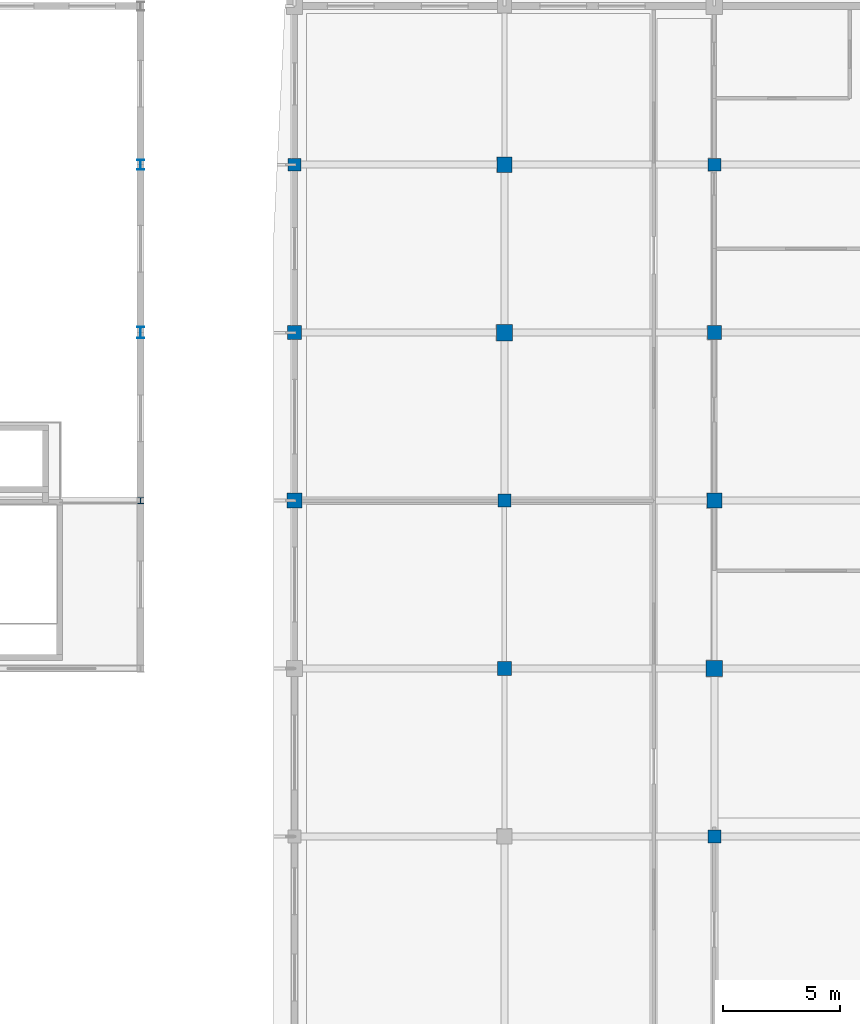
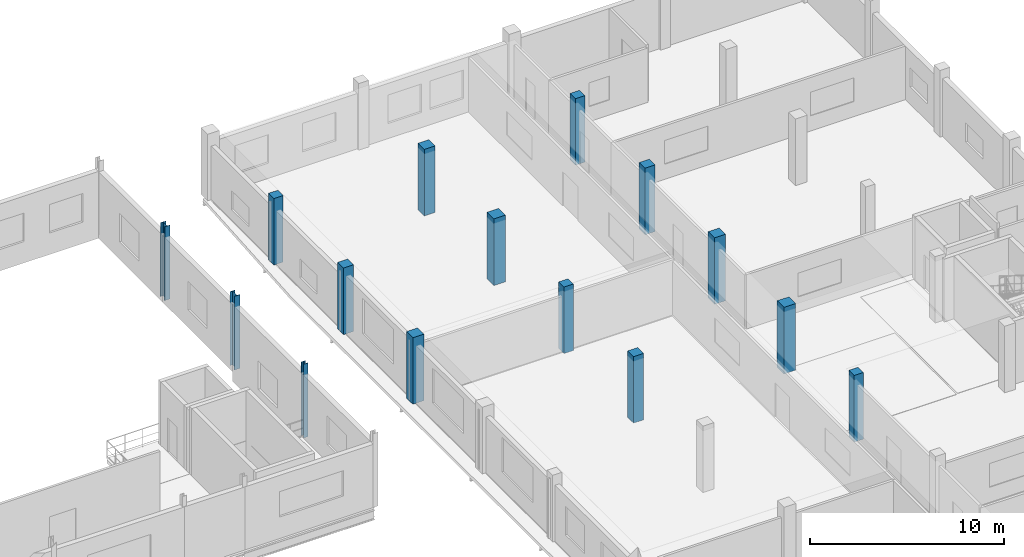
# One storey, part 25 of 121: 15 columns.
"""IFC4 building model written with IfcOpenShell, lengths in metres."""

from ifc_helpers import new_model, si_unit, direction, frame, origin, origin_2d, place, context, subcontext, project, spatial, rectangle, i_section, extrude, material, material_profile, profile_set, type_object, element, save


model = new_model("IFC4")

# Units and contexts
model_context = context("Model", 3, precision=1e-05, world=origin(), true_north=direction((0.0, 1.0)))
body_context = subcontext(model_context, "Body", "Model", "MODEL_VIEW")
ifc_project = project(units=[si_unit("LENGTHUNIT", "METRE"), si_unit("AREAUNIT", "SQUARE_METRE"), si_unit("VOLUMEUNIT", "CUBIC_METRE"), si_unit("PLANEANGLEUNIT", "RADIAN"), si_unit("MASSUNIT", "GRAM", prefix="KILO")], contexts=[model_context])

# Site, building, storey
site_placement = place(None, origin())
site = spatial("IfcSite", under=ifc_project, at=site_placement, CompositionType="ELEMENT")
building_placement = place(site_placement, origin())
building = spatial("IfcBuilding", under=site, at=building_placement, Name="Vinh Khe Railworks Police Headquarters", CompositionType="ELEMENT")
storey_placement = place(building_placement, frame((0.0, 0.0, 4.800048828125)))
storey = spatial("IfcBuildingStorey", under=building, at=storey_placement, Name="L01", CompositionType="ELEMENT", Elevation=4.800048828125)

# Columns
ifc_material_1 = material(Name="Concrete C40/50 (B40)", Category="concrete")
ifc_material_profile_1 = material_profile(ifc_material_1, rectangle(XDim=0.550048828125, YDim=0.550048828125, at=origin_2d()), Name="RC 550x550")
ifc_profile_set_1 = profile_set([ifc_material_profile_1], Name="Concrete C40/50 (B40)")
column_type_1 = type_object("IfcColumnType", Name="RC Column RC 550x550", PredefinedType="COLUMN", material=ifc_profile_set_1)
for number, where, z_axis, x_axis, name in (
    (1, (78.0, 159.60009765625, 0.0), (0.0, 0.0, 1.0), (1.0, 0.0, 0.0), "Column COL-L01-CC-06-1200"),
    (2, (87.0, 145.199951171875, 0.0), (0.0, 0.0, 1.0), (1.0, 0.0, 0.0), "Column COL-L01-CC-06-1247"),
    (3, (96.0, 130.800048828125, 0.0), (0.0, 0.0, 1.0), (1.0, 0.0, 0.0), "Column COL-L01-CC-06-1294"),
    (4, (96.0, 159.60009765625, 0.0), (0.0, 0.0, 1.0), (1.0, 0.0, 0.0), "Column COL-L01-CC-06-1322"),
):
    element("IfcColumn", number, at=place(storey_placement, frame(where, z_axis=z_axis, x_axis=x_axis)), inside=storey, type_object=column_type_1, Name=name, PredefinedType="COLUMN", context=body_context, shape_type="SweptSolid", body=[
        extrude(rectangle(XDim=0.550048828125, YDim=0.550048828125, at=origin_2d()), origin(), (0.0, 0.0, 1.0), 4.199951171875),
    ])
ifc_material_profile_2 = material_profile(ifc_material_1, rectangle(XDim=0.60009765625, YDim=0.60009765625, at=origin_2d()), Name="RC 600x600")
ifc_profile_set_2 = profile_set([ifc_material_profile_2], Name="Concrete C40/50 (B40)")
column_type_2 = type_object("IfcColumnType", Name="RC Column RC 600x600", PredefinedType="COLUMN", material=ifc_profile_set_2)
for number, where, z_axis, x_axis, name in (
    (5, (78.0, 152.39990234375, 0.0), (0.0, 0.0, 1.0), (1.0, 0.0, 0.0), "Column COL-L01-CC-05-1193"),
    (6, (87.0, 138.0, 0.0), (0.0, 0.0, 1.0), (1.0, 0.0, 0.0), "Column COL-L01-CC-05-1240"),
    (7, (96.0, 152.39990234375, 0.0), (0.0, 0.0, 1.0), (1.0, 0.0, 0.0), "Column COL-L01-CC-05-1315"),
):
    element("IfcColumn", number, at=place(storey_placement, frame(where, z_axis=z_axis, x_axis=x_axis)), inside=storey, type_object=column_type_2, Name=name, PredefinedType="COLUMN", context=body_context, shape_type="SweptSolid", body=[
        extrude(rectangle(XDim=0.60009765625, YDim=0.60009765625, at=origin_2d()), origin(), (0.0, 0.0, 1.0), 4.199951171875),
    ])
ifc_material_profile_3 = material_profile(ifc_material_1, rectangle(XDim=0.64990234375, YDim=0.64990234375, at=origin_2d()), Name="RC 650x650")
ifc_profile_set_3 = profile_set([ifc_material_profile_3], Name="Concrete C40/50 (B40)")
column_type_3 = type_object("IfcColumnType", Name="RC Column RC 650x650", PredefinedType="COLUMN", material=ifc_profile_set_3)
for number, where, z_axis, x_axis, name in (
    (8, (78.0, 145.199951171875, 0.0), (0.0, 0.0, 1.0), (1.0, 0.0, 0.0), "Column COL-L01-CC-04-1186"),
    (9, (87.0, 159.60009765625, 0.0), (0.0, 0.0, 1.0), (1.0, 0.0, 0.0), "Column COL-L01-CC-04-1261"),
    (10, (96.0, 145.199951171875, 0.0), (0.0, 0.0, 1.0), (1.0, 0.0, 0.0), "Column COL-L01-CC-04-1308"),
):
    element("IfcColumn", number, at=place(storey_placement, frame(where, z_axis=z_axis, x_axis=x_axis)), inside=storey, type_object=column_type_3, Name=name, PredefinedType="COLUMN", context=body_context, shape_type="SweptSolid", body=[
        extrude(rectangle(XDim=0.64990234375, YDim=0.64990234375, at=origin_2d()), origin(), (0.0, 0.0, 1.0), 4.199951171875),
    ])
ifc_material_profile_4 = material_profile(ifc_material_1, rectangle(XDim=0.699951171875, YDim=0.699951171875, at=origin_2d()), Name="RC 700x700")
ifc_profile_set_4 = profile_set([ifc_material_profile_4], Name="Concrete C40/50 (B40)")
column_type_4 = type_object("IfcColumnType", Name="RC Column RC 700x700", PredefinedType="COLUMN", material=ifc_profile_set_4)
for number, where, z_axis, x_axis, name in (
    (11, (87.0, 152.39990234375, 0.0), (0.0, 0.0, 1.0), (1.0, 0.0, 0.0), "Column COL-L01-CC-03-1254"),
    (12, (96.0, 138.0, 0.0), (0.0, 0.0, 1.0), (1.0, 0.0, 0.0), "Column COL-L01-CC-03-1301"),
):
    element("IfcColumn", number, at=place(storey_placement, frame(where, z_axis=z_axis, x_axis=x_axis)), inside=storey, type_object=column_type_4, Name=name, PredefinedType="COLUMN", context=body_context, shape_type="SweptSolid", body=[
        extrude(rectangle(XDim=0.699951171875, YDim=0.699951171875, at=origin_2d()), origin(), (0.0, 0.0, 1.0), 4.199951171875),
    ])
ifc_material_2 = material(Name="Steel S355JR", Category="steel")
ifc_material_profile_5 = material_profile(ifc_material_2, i_section(OverallWidth=0.300048828125, OverallDepth=0.43994140625, WebThickness=0.011474609375, FlangeThickness=0.02099609375, FilletRadius=0.027099609375, at=origin_2d()), Name="HEA 450")
ifc_profile_set_5 = profile_set([ifc_material_profile_5], Name="Steel S355JR")
column_type_5 = type_object("IfcColumnType", Name="Steel Column HEA 450", PredefinedType="COLUMN", material=ifc_profile_set_5)
column_1_placement = place(storey_placement, frame((71.39990234375, 159.60009765625, 0.0), z_axis=(0.0, 0.0, 1.0), x_axis=(1.0, 0.0, 0.0)))
element("IfcColumn", 13, at=column_1_placement, inside=storey, type_object=column_type_5, Name="Column COL-L01-SC-14-1148", PredefinedType="COLUMN", context=body_context, shape_type="SweptSolid", body=[
    extrude(i_section(OverallWidth=0.300048828125, OverallDepth=0.43994140625, WebThickness=0.011474609375, FlangeThickness=0.02099609375, FilletRadius=0.027099609375, at=origin_2d()), origin(), (0.0, 0.0, 1.0), 4.64990234375),
])
ifc_material_profile_6 = material_profile(ifc_material_2, i_section(OverallWidth=0.300048828125, OverallDepth=0.489990234375, WebThickness=0.011962890625, FlangeThickness=0.02294921875, FilletRadius=0.027099609375, at=origin_2d()), Name="HEA 500")
ifc_profile_set_6 = profile_set([ifc_material_profile_6], Name="Steel S355JR")
column_type_6 = type_object("IfcColumnType", Name="Steel Column HEA 500", PredefinedType="COLUMN", material=ifc_profile_set_6)
column_2_placement = place(storey_placement, frame((71.39990234375, 152.39990234375, 0.0), z_axis=(0.0, 0.0, 1.0), x_axis=(1.0, 0.0, 0.0)))
element("IfcColumn", 14, at=column_2_placement, inside=storey, type_object=column_type_6, Name="Column COL-L01-SC-13-1146", PredefinedType="COLUMN", context=body_context, shape_type="SweptSolid", body=[
    extrude(i_section(OverallWidth=0.300048828125, OverallDepth=0.489990234375, WebThickness=0.011962890625, FlangeThickness=0.02294921875, FilletRadius=0.027099609375, at=origin_2d()), origin(), (0.0, 0.0, 1.0), 4.64990234375),
])
ifc_material_profile_7 = material_profile(ifc_material_2, i_section(OverallWidth=0.260009765625, OverallDepth=0.260009765625, WebThickness=0.010009765625, FlangeThickness=0.017578125, FilletRadius=0.02392578125, at=origin_2d()), Name="HEB 260")
ifc_profile_set_7 = profile_set([ifc_material_profile_7], Name="Steel S355JR")
column_type_7 = type_object("IfcColumnType", Name="Steel Column HEB 260", PredefinedType="COLUMN", material=ifc_profile_set_7)
column_3_placement = place(storey_placement, frame((71.39990234375, 145.199951171875, 0.0), z_axis=(0.0, 0.0, 1.0), x_axis=(1.0, 0.0, 0.0)))
element("IfcColumn", 15, at=column_3_placement, inside=storey, type_object=column_type_7, Name="Column COL-L01-SC-12-1144", PredefinedType="COLUMN", context=body_context, shape_type="SweptSolid", body=[
    extrude(i_section(OverallWidth=0.260009765625, OverallDepth=0.260009765625, WebThickness=0.010009765625, FlangeThickness=0.017578125, FilletRadius=0.02392578125, at=origin_2d()), origin(), (0.0, 0.0, 1.0), 4.64990234375),
])

save(model, "model.ifc")
